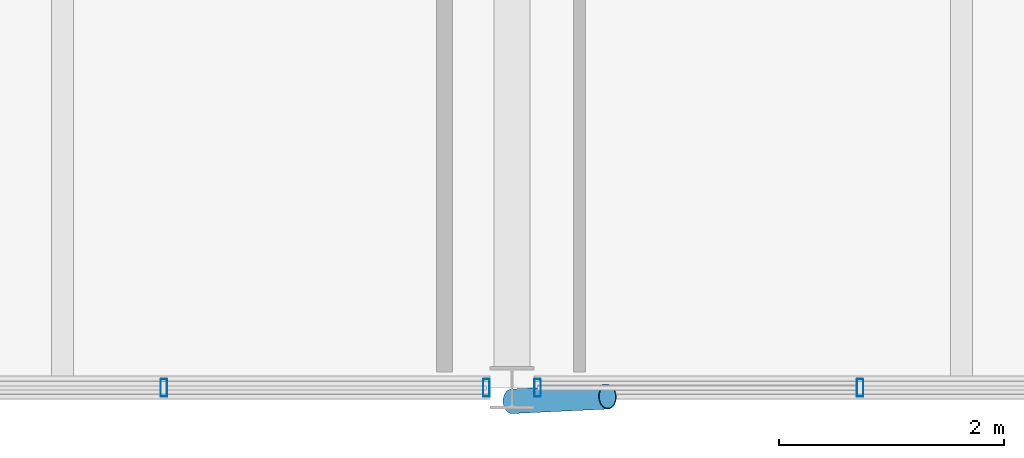
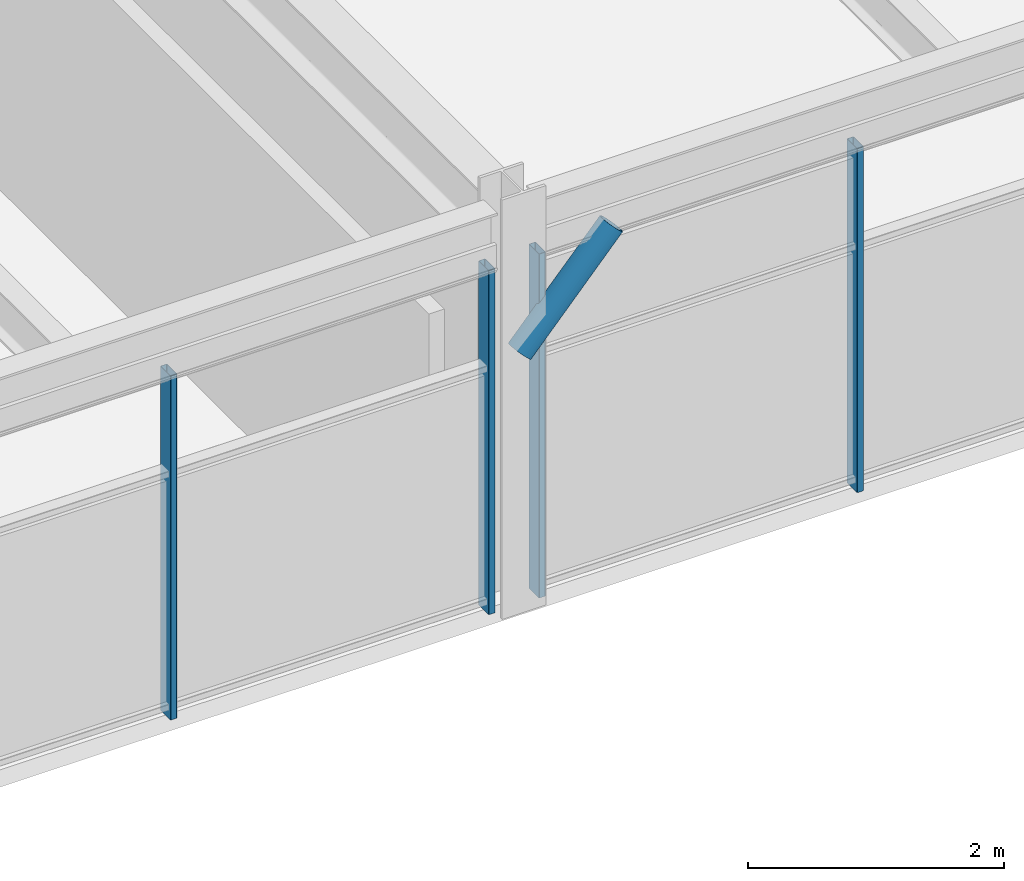
# One storey, part 30 of 51: 5 members, 2 elements without a shape of their own.
"""IFC4 building model written with IfcOpenShell, lengths in metres."""

from ifc_helpers import new_model, si_unit, direction, frame, origin, origin_2d, place, context, subcontext, project, spatial, hollow_rectangle, hollow_circle, extrude, material, material_profile, profile_set, type_object, element, aggregate, save


model = new_model("IFC4")

# Units and contexts
model_context = context("Model", 3, precision=1e-05, world=origin(), true_north=direction((0.0, 1.0)))
body_context = subcontext(model_context, "Body", "Model", "MODEL_VIEW")
ifc_project = project(units=[si_unit("LENGTHUNIT", "METRE"), si_unit("AREAUNIT", "SQUARE_METRE"), si_unit("VOLUMEUNIT", "CUBIC_METRE"), si_unit("PLANEANGLEUNIT", "RADIAN"), si_unit("MASSUNIT", "GRAM", prefix="KILO")], contexts=[model_context])

# Site, building, storey
site_placement = place(None, origin())
site = spatial("IfcSite", under=ifc_project, at=site_placement, CompositionType="ELEMENT")
building_placement = place(site_placement, origin())
building = spatial("IfcBuilding", under=site, at=building_placement, Name="Girod Span Mobility Hub", CompositionType="ELEMENT")
storey_placement = place(building_placement, frame((0.0, 0.0, 41.60009765625)))
storey = spatial("IfcBuildingStorey", under=building, at=storey_placement, Name="L10", CompositionType="ELEMENT", Elevation=41.60009765625)

# Curtain wall, members
ifc_material_1 = material(Name="Thermally Broken Anodised Aluminium", Category="aluminium")
curtain_wall_type = type_object("IfcCurtainWallType", Name="CW-1161X328", PredefinedType="USERDEFINED", material=ifc_material_1)
curtain_wall_1_placement = place(storey_placement, origin())
curtain_wall_1 = element("IfcCurtainWall", 1, at=curtain_wall_1_placement, inside=storey, type_object=curtain_wall_type, Name="Unitised Curtain Wall CW-L10-S09 L10", ObjectType="UNITISED CURTAIN WALL", PredefinedType="USERDEFINED")
ifc_material_2 = material(Name="Thermally Broken Anodised Aluminium", Category="aluminium")
ifc_material_profile_1 = material_profile(ifc_material_2, hollow_rectangle(XDim=0.159912109375, YDim=0.06005859375, WallThickness=0.00341796875, InnerFilletRadius=0.00341796875, OuterFilletRadius=0.007080078125, at=origin_2d()), Name="CW-ML-60X160")
ifc_profile_set_1 = profile_set([ifc_material_profile_1], Name="Thermally Broken Anodised Aluminium")
member_type_1 = type_object("IfcMemberType", Name="CWM-ML-3", PredefinedType="MULLION", material=ifc_profile_set_1)
member_1_placement = place(storey_placement, frame((104.902587890625, 27.0, 0.0), z_axis=(0.0, 0.0, 1.0), x_axis=(0.0, 1.0, 0.0)))
member_1 = element("IfcMember", 2, at=member_1_placement, type_object=member_type_1, Name="Curtain Wall Mullion CW-L10-S09-M3", PredefinedType="MULLION", context=body_context, shape_type="SweptSolid", body=[
    extrude(hollow_rectangle(XDim=0.159912109375, YDim=0.06005859375, WallThickness=0.00341796875, InnerFilletRadius=0.00341796875, OuterFilletRadius=0.007080078125, at=origin_2d()), origin(), (0.0, 0.0, 1.0), 3.281005859375),
])
member_2_placement = place(storey_placement, frame((107.77294921875, 27.0, 0.0), z_axis=(0.0, 0.0, 1.0), x_axis=(0.0, 1.0, 0.0)))
member_2 = element("IfcMember", 3, at=member_2_placement, type_object=member_type_1, Name="Curtain Wall Mullion CW-L10-S09-M4", PredefinedType="MULLION", context=body_context, shape_type="SweptSolid", body=[
    extrude(hollow_rectangle(XDim=0.159912109375, YDim=0.06005859375, WallThickness=0.00341796875, InnerFilletRadius=0.00341796875, OuterFilletRadius=0.007080078125, at=origin_2d()), origin(), (0.0, 0.0, 1.0), 3.281005859375),
])
aggregate(curtain_wall_1, [member_1, member_2])

curtain_wall_2_placement = place(storey_placement, origin())
curtain_wall_2 = element("IfcCurtainWall", 4, at=curtain_wall_2_placement, inside=storey, type_object=curtain_wall_type, Name="Unitised Curtain Wall CW-L10-S10 L10", ObjectType="UNITISED CURTAIN WALL", PredefinedType="USERDEFINED")
member_3_placement = place(storey_placement, frame((108.22705078125, 27.0, 0.0), z_axis=(0.0, 0.0, 1.0), x_axis=(0.0, 1.0, 0.0)))
member_3 = element("IfcMember", 5, at=member_3_placement, type_object=member_type_1, Name="Curtain Wall Mullion CW-L10-S10-M0", PredefinedType="MULLION", context=body_context, shape_type="SweptSolid", body=[
    extrude(hollow_rectangle(XDim=0.159912109375, YDim=0.06005859375, WallThickness=0.00341796875, InnerFilletRadius=0.00341796875, OuterFilletRadius=0.007080078125, at=origin_2d()), origin(), (0.0, 0.0, 1.0), 3.281005859375),
])
member_4_placement = place(storey_placement, frame((111.097412109375, 27.0, 0.0), z_axis=(0.0, 0.0, 1.0), x_axis=(0.0, 1.0, 0.0)))
member_4 = element("IfcMember", 6, at=member_4_placement, type_object=member_type_1, Name="Curtain Wall Mullion CW-L10-S10-M1", PredefinedType="MULLION", context=body_context, shape_type="SweptSolid", body=[
    extrude(hollow_rectangle(XDim=0.159912109375, YDim=0.06005859375, WallThickness=0.00341796875, InnerFilletRadius=0.00341796875, OuterFilletRadius=0.007080078125, at=origin_2d()), origin(), (0.0, 0.0, 1.0), 3.281005859375),
])
aggregate(curtain_wall_2, [member_3, member_4])

# Member
ifc_material_3 = material(Name="Steel HSS A500 Grade C", Category="steel")
ifc_material_profile_2 = material_profile(ifc_material_3, hollow_circle(Radius=0.109619140625, WallThickness=0.0087890625, at=origin_2d()), Name="HSS219X9.5")
ifc_profile_set_2 = profile_set([ifc_material_profile_2], Name="Steel HSS A500 Grade C")
member_type_2 = type_object("IfcMemberType", Name="MB-ST-HSS219", PredefinedType="STRUT", material=ifc_profile_set_2)
member_5_placement = place(storey_placement, frame((108.0, 26.8798828125, 2.449951171875), z_axis=(0.68831469116, 0.032419187062, 0.72468743762), x_axis=(-0.047047213483, 0.998892666758, 0.0)))
element("IfcMember", 7, at=member_5_placement, inside=storey, type_object=member_type_2, Name="Solar Shading Knee Strut 10 L10", PredefinedType="STRUT", context=body_context, shape_type="SweptSolid", body=[
    extrude(hollow_circle(Radius=0.109619140625, WallThickness=0.0087890625, at=origin_2d()), origin(), (0.0, 0.0, 1.0), 1.235107421875),
])

save(model, "model.ifc")
